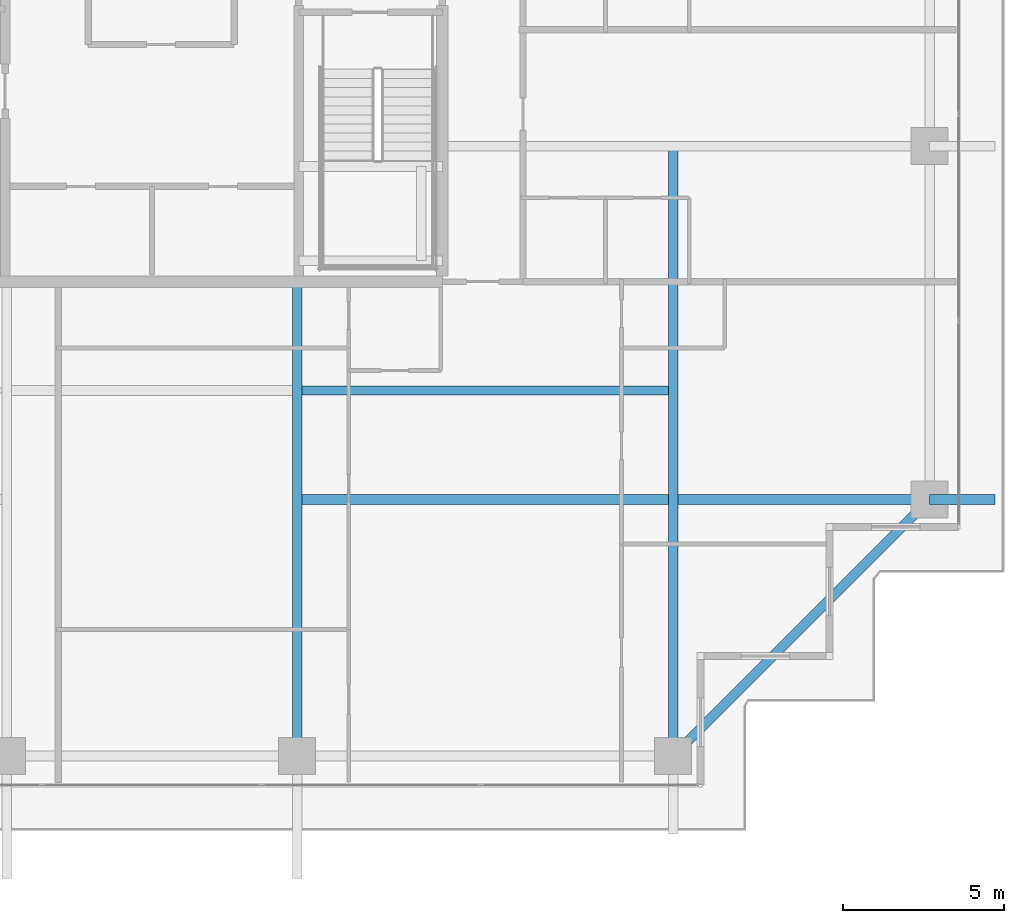
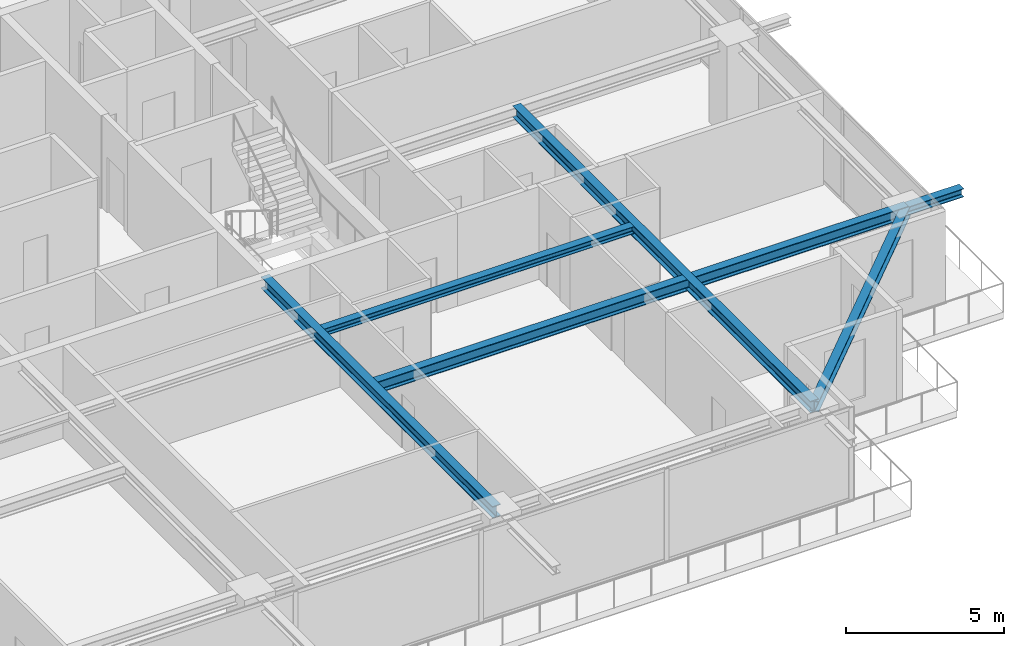
# One storey, part 13 of 38: 6 beams.
"""IFC4 building model written with IfcOpenShell, lengths in metres."""

from ifc_helpers import new_model, si_unit, direction, frame, origin, origin_2d, place, context, subcontext, project, spatial, i_section, extrude, source, transform, mapped, material, material_profile, profile_set, type_object, element, save


model = new_model("IFC4")

# Units and contexts
model_context = context("Model", 3, precision=1e-05, world=origin(), true_north=direction((0.0, 1.0)))
body_context = subcontext(model_context, "Body", "Model", "MODEL_VIEW")
ifc_project = project(units=[si_unit("LENGTHUNIT", "METRE"), si_unit("AREAUNIT", "SQUARE_METRE"), si_unit("VOLUMEUNIT", "CUBIC_METRE"), si_unit("PLANEANGLEUNIT", "RADIAN"), si_unit("MASSUNIT", "GRAM", prefix="KILO")], contexts=[model_context])

# Site, building, storey
site_placement = place(None, origin())
site = spatial("IfcSite", under=ifc_project, at=site_placement, CompositionType="ELEMENT")
building_placement = place(site_placement, origin())
building = spatial("IfcBuilding", under=site, at=building_placement, Name="Serunith Strait Residences", CompositionType="ELEMENT")
storey_placement = place(building_placement, frame((0.0, 0.0, 237.39990234375)))
storey = spatial("IfcBuildingStorey", under=building, at=storey_placement, Name="L59", CompositionType="ELEMENT", Elevation=237.39990234375)

# Beams
ifc_material = material(Name="Steel S355J2", Category="steel")
ifc_material_profile_1 = material_profile(ifc_material, i_section(OverallWidth=0.300048828125, OverallDepth=0.449951171875, WebThickness=0.013916015625, FlangeThickness=0.02587890625, FilletRadius=0.027099609375, at=origin_2d()), Name="HEB 450")
ifc_profile_set_1 = profile_set([ifc_material_profile_1], Name="Steel S355J2")
beam_type_1 = type_object("IfcBeamType", Name="BM-HEB450", PredefinedType="BEAM", material=ifc_profile_set_1)
shared_shape_1 = source(origin(), body_context, "Body", "SweptSolid", [
    extrude(i_section(OverallWidth=0.300048828125, OverallDepth=0.449951171875, WebThickness=0.013916015625, FlangeThickness=0.02587890625, FilletRadius=0.027099609375, at=origin_2d()), origin(), (0.0, 0.0, 1.0), 14.699951171875),
])
beam_1_placement = place(storey_placement, frame((36.89990234375, 16.800048828125, 3.362060546875), z_axis=(0.0, -1.0, 0.0), x_axis=(1.0, 0.0, 0.0)))
element("IfcBeam", 1, at=beam_1_placement, inside=storey, type_object=beam_type_1, Name="L59 Primary Floor Girder TC-S3", PredefinedType="BEAM", context=body_context, shape_type="MappedRepresentation", body=[
    mapped(shared_shape_1, transform((0.0, 0.0, 0.0), scale=1.0)),
])
shared_shape_2 = source(origin(), body_context, "Body", "SweptSolid", [
    extrude(i_section(OverallWidth=0.300048828125, OverallDepth=0.449951171875, WebThickness=0.013916015625, FlangeThickness=0.02587890625, FilletRadius=0.027099609375, at=origin_2d()), origin(), (0.0, 0.0, 1.0), 18.89990234375),
])
beam_2_placement = place(storey_placement, frame((48.550048828125, 21.0, 3.362060546875), z_axis=(0.0, -1.0, 0.0), x_axis=(1.0, 0.0, 0.0)))
element("IfcBeam", 2, at=beam_2_placement, inside=storey, type_object=beam_type_1, Name="L59 Orthogonal Corner Girder TC-S4", PredefinedType="BEAM", context=body_context, shape_type="MappedRepresentation", body=[
    mapped(shared_shape_2, transform((0.0, 0.0, 0.0), scale=1.0)),
])
shared_shape_3 = source(origin(), body_context, "Body", "SweptSolid", [
    extrude(i_section(OverallWidth=0.300048828125, OverallDepth=0.449951171875, WebThickness=0.013916015625, FlangeThickness=0.02587890625, FilletRadius=0.027099609375, at=origin_2d()), origin(), (0.0, 0.0, 1.0), 19.60009765625),
])
beam_3_placement = place(storey_placement, frame((36.89990234375, 10.050048828125, 3.362060546875), z_axis=(1.0, 0.0, 0.0), x_axis=(0.0, 1.0, 0.0)))
element("IfcBeam", 3, at=beam_3_placement, inside=storey, type_object=beam_type_1, Name="L59 Orthogonal Corner Girder TC-E1", PredefinedType="BEAM", context=body_context, shape_type="MappedRepresentation", body=[
    mapped(shared_shape_3, transform((0.0, 0.0, 0.0), scale=1.0)),
])
ifc_material_profile_2 = material_profile(ifc_material, i_section(OverallWidth=0.300048828125, OverallDepth=0.39990234375, WebThickness=0.013427734375, FlangeThickness=0.02392578125, FilletRadius=0.027099609375, at=origin_2d()), Name="HEB 400")
ifc_profile_set_2 = profile_set([ifc_material_profile_2], Name="Steel S355J2")
beam_type_2 = type_object("IfcBeamType", Name="BM-HEB400", PredefinedType="BEAM", material=ifc_profile_set_2)
shared_shape_4 = source(origin(), body_context, "Body", "SweptSolid", [
    extrude(i_section(OverallWidth=0.300048828125, OverallDepth=0.39990234375, WebThickness=0.013427734375, FlangeThickness=0.02392578125, FilletRadius=0.027099609375, at=origin_2d()), origin(), (0.0, 0.0, 1.0), 11.242919921875),
])
beam_4_placement = place(storey_placement, frame((48.550048828125, 2.10009765625, 3.357177734375), z_axis=(0.707106781187, 0.707106781187, 0.0), x_axis=(-0.707106781187, 0.707106781187, 0.0)))
element("IfcBeam", 4, at=beam_4_placement, inside=storey, type_object=beam_type_2, Name="L59 Perimeter Ring Beam 04", PredefinedType="BEAM", context=body_context, shape_type="MappedRepresentation", body=[
    mapped(shared_shape_4, transform((0.0, 0.0, 0.0), scale=1.0)),
])
ifc_material_profile_3 = material_profile(ifc_material, i_section(OverallWidth=0.300048828125, OverallDepth=0.320068359375, WebThickness=0.011474609375, FlangeThickness=0.0205078125, FilletRadius=0.027099609375, at=origin_2d()), Name="HEB 320")
ifc_profile_set_3 = profile_set([ifc_material_profile_3], Name="Steel S355J2")
beam_type_3 = type_object("IfcBeamType", Name="BM-HEB320", PredefinedType="BEAM", material=ifc_profile_set_3)
shared_shape_5 = source(origin(), body_context, "Body", "SweptSolid", [
    extrude(i_section(OverallWidth=0.300048828125, OverallDepth=0.320068359375, WebThickness=0.011474609375, FlangeThickness=0.0205078125, FilletRadius=0.027099609375, at=origin_2d()), origin(), (0.0, 0.0, 1.0), 2.030029296875),
])
beam_5_placement = place(storey_placement, frame((56.5, 10.050048828125, 3.397216796875), z_axis=(1.0, 0.0, 0.0), x_axis=(0.0, 1.0, 0.0)))
element("IfcBeam", 5, at=beam_5_placement, inside=storey, type_object=beam_type_3, Name="L60 Cantilevered Balcony Rib TC-E1", PredefinedType="BEAM", context=body_context, shape_type="MappedRepresentation", body=[
    mapped(shared_shape_5, transform((0.0, 0.0, 0.0), scale=1.0)),
])
ifc_material_profile_4 = material_profile(ifc_material, i_section(OverallWidth=0.280029296875, OverallDepth=0.280029296875, WebThickness=0.010498046875, FlangeThickness=0.01806640625, FilletRadius=0.02392578125, at=origin_2d()), Name="HEB 280")
ifc_profile_set_4 = profile_set([ifc_material_profile_4], Name="Steel S355J2")
beam_type_4 = type_object("IfcBeamType", Name="BM-HEB280", PredefinedType="JOIST", material=ifc_profile_set_4)
shared_shape_6 = source(origin(), body_context, "Body", "SweptSolid", [
    extrude(i_section(OverallWidth=0.280029296875, OverallDepth=0.280029296875, WebThickness=0.010498046875, FlangeThickness=0.01806640625, FilletRadius=0.02392578125, at=origin_2d()), origin(), (0.0, 0.0, 1.0), 11.349853515625),
])
beam_6_placement = place(storey_placement, frame((37.050048828125, 13.425048828125, 3.447021484375), z_axis=(1.0, 0.0, 0.0), x_axis=(0.0, 1.0, 0.0)))
element("IfcBeam", 6, at=beam_6_placement, inside=storey, type_object=beam_type_4, Name="L59 Composite Floor Joist 03", PredefinedType="JOIST", context=body_context, shape_type="MappedRepresentation", body=[
    mapped(shared_shape_6, transform((0.0, 0.0, 0.0), scale=1.0)),
])

save(model, "model.ifc")
